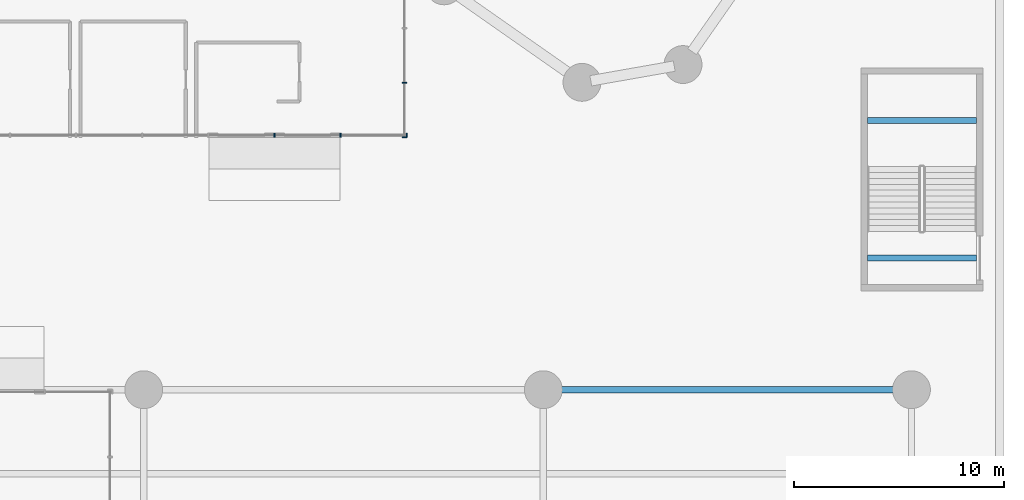
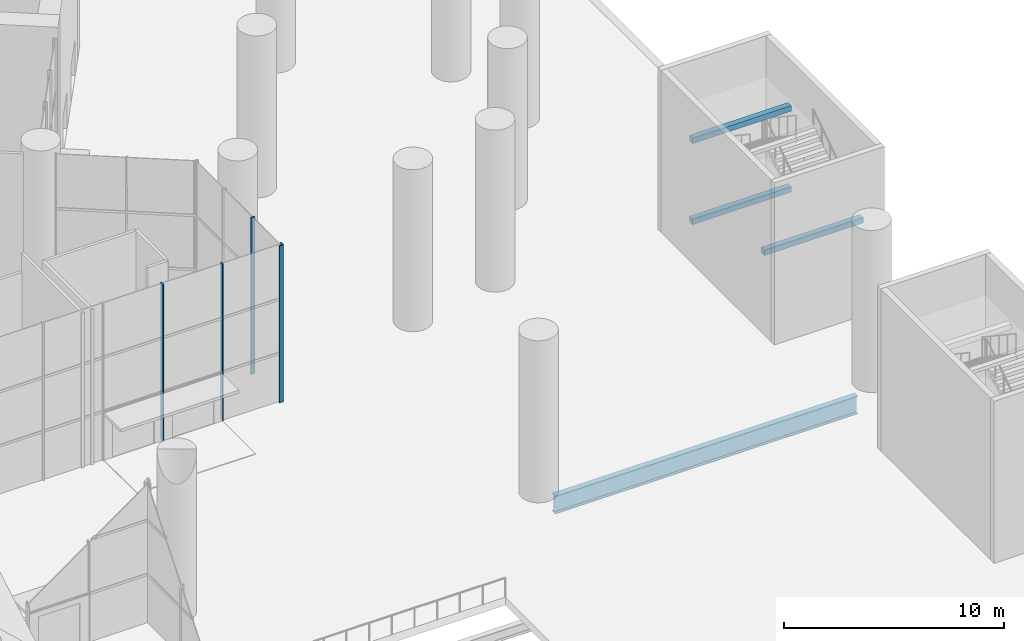
# One storey, part 9 of 37: 5 members, 4 beams, 2 elements without a shape of their own.
"""IFC4 building model written with IfcOpenShell, lengths in metres."""

from ifc_helpers import new_model, si_unit, direction, frame, origin, origin_2d, place, context, subcontext, project, spatial, rectangle, i_section, extrude, material, material_profile, profile_set, type_object, element, aggregate, save


model = new_model("IFC4")

# Units and contexts
model_context = context("Model", 3, precision=1e-05, world=origin(), true_north=direction((0.0, 1.0)))
body_context = subcontext(model_context, "Body", "Model", "MODEL_VIEW")
ifc_project = project(units=[si_unit("LENGTHUNIT", "METRE"), si_unit("AREAUNIT", "SQUARE_METRE"), si_unit("VOLUMEUNIT", "CUBIC_METRE"), si_unit("PLANEANGLEUNIT", "RADIAN"), si_unit("MASSUNIT", "GRAM", prefix="KILO")], contexts=[model_context])

# Site, building, storey
site_placement = place(None, origin())
site = spatial("IfcSite", under=ifc_project, at=site_placement, CompositionType="ELEMENT")
building_placement = place(site_placement, origin())
building = spatial("IfcBuilding", under=site, at=building_placement, Name="Tel Ilan Convention Tower", CompositionType="ELEMENT")
storey_placement = place(building_placement, origin())
storey = spatial("IfcBuildingStorey", under=building, at=storey_placement, Name="L00", CompositionType="ELEMENT", Elevation=0.0)

# Curtain wall, members
ifc_material_1 = material(Name="Aluminium, bronze anodised", Category="aluminium")
curtain_wall_type = type_object("IfcCurtainWallType", Name="CW6 LOBBY PAVILION CURTAIN WALL, CLEAR GLASS", PredefinedType="NOTDEFINED", material=ifc_material_1)
curtain_wall_1_placement = place(storey_placement, origin())
curtain_wall_1 = element("IfcCurtainWall", 1, at=curtain_wall_1_placement, inside=storey, type_object=curtain_wall_type, Name="Curtain wall CW6-03.04", PredefinedType="NOTDEFINED")
ifc_material_2 = material(Name="Aluminium, bronze anodised", Category="aluminium")
ifc_material_profile_1 = material_profile(ifc_material_2, rectangle(XDim=0.06005859375, YDim=0.199951171875, at=origin_2d()), Name="CW MULLION 60x200")
ifc_profile_set_1 = profile_set([ifc_material_profile_1], Name="Aluminium, bronze anodised")
member_type = type_object("IfcMemberType", Name="CW MULLION 60x200", PredefinedType="MULLION", material=ifc_profile_set_1)
member_1_placement = place(storey_placement, frame((21.89990234375, -33.407470703125, 0.0), z_axis=(0.0, 0.0, 1.0), x_axis=(0.0, -1.0, 0.0)))
member_1 = element("IfcMember", 2, at=member_1_placement, type_object=member_type, Name="Mullion", PredefinedType="MULLION", context=body_context, shape_type="SweptSolid", body=[
    extrude(rectangle(XDim=0.06005859375, YDim=0.199951171875, at=origin_2d()), origin(), (0.0, 0.0, 1.0), 8.719970703125),
])
member_2_placement = place(storey_placement, frame((21.89990234375, -36.0, 0.0), z_axis=(0.0, 0.0, 1.0), x_axis=(0.0, -1.0, 0.0)))
member_2 = element("IfcMember", 3, at=member_2_placement, type_object=member_type, Name="Mullion", PredefinedType="MULLION", context=body_context, shape_type="SweptSolid", body=[
    extrude(rectangle(XDim=0.06005859375, YDim=0.199951171875, at=origin_2d()), origin(), (0.0, 0.0, 1.0), 8.719970703125),
])
aggregate(curtain_wall_1, [member_1, member_2])

curtain_wall_2_placement = place(storey_placement, origin())
curtain_wall_2 = element("IfcCurtainWall", 4, at=curtain_wall_2_placement, inside=storey, type_object=curtain_wall_type, Name="Curtain wall CW6-03.05", PredefinedType="NOTDEFINED")
member_3_placement = place(storey_placement, frame((22.0, -35.89990234375, 0.0), z_axis=(0.0, 0.0, 1.0), x_axis=(-1.0, 0.0, 0.0)))
member_3 = element("IfcMember", 5, at=member_3_placement, type_object=member_type, Name="Mullion", PredefinedType="MULLION", context=body_context, shape_type="SweptSolid", body=[
    extrude(rectangle(XDim=0.06005859375, YDim=0.199951171875, at=origin_2d()), origin(), (0.0, 0.0, 1.0), 8.719970703125),
])
member_4_placement = place(storey_placement, frame((18.857177734375, -35.89990234375, 0.0), z_axis=(0.0, 0.0, 1.0), x_axis=(-1.0, 0.0, 0.0)))
member_4 = element("IfcMember", 6, at=member_4_placement, type_object=member_type, Name="Mullion", PredefinedType="MULLION", context=body_context, shape_type="SweptSolid", body=[
    extrude(rectangle(XDim=0.06005859375, YDim=0.199951171875, at=origin_2d()), origin(), (0.0, 0.0, 1.0), 8.719970703125),
])
member_5_placement = place(storey_placement, frame((15.71435546875, -35.89990234375, 0.0), z_axis=(0.0, 0.0, 1.0), x_axis=(-1.0, 0.0, 0.0)))
member_5 = element("IfcMember", 7, at=member_5_placement, type_object=member_type, Name="Mullion", PredefinedType="MULLION", context=body_context, shape_type="SweptSolid", body=[
    extrude(rectangle(XDim=0.06005859375, YDim=0.199951171875, at=origin_2d()), origin(), (0.0, 0.0, 1.0), 8.719970703125),
])
aggregate(curtain_wall_2, [member_3, member_4, member_5])

# Beams
ifc_material_3 = material(Name="Steel S355", Category="steel")
ifc_material_profile_2 = material_profile(ifc_material_3, i_section(OverallWidth=0.300048828125, OverallDepth=1.0, WebThickness=0.01904296875, FlangeThickness=0.035888671875, FilletRadius=0.030029296875, at=origin_2d()), Name="HEB 1000")
ifc_profile_set_2 = profile_set([ifc_material_profile_2], Name="Steel S355")
beam_type_1 = type_object("IfcBeamType", Name="Girder HEB 1000 Steel S355", PredefinedType="BEAM", material=ifc_profile_set_2)
beam_placement = place(storey_placement, frame((29.300048828125, -48.0, -0.949951171875), z_axis=(1.0, 0.0, 0.0), x_axis=(0.0, 1.0, 0.0)))
element("IfcBeam", 8, at=beam_placement, inside=storey, type_object=beam_type_1, Name="L00 beam GX35-6", PredefinedType="BEAM", context=body_context, shape_type="SweptSolid", body=[
    extrude(i_section(OverallWidth=0.300048828125, OverallDepth=1.0, WebThickness=0.01904296875, FlangeThickness=0.035888671875, FilletRadius=0.030029296875, at=origin_2d()), origin(), (0.0, 0.0, 1.0), 15.89990234375),
])
ifc_material_4 = material(Name="Concrete C40/50", Category="concrete")
ifc_material_profile_3 = material_profile(ifc_material_4, rectangle(XDim=0.300048828125, YDim=0.300048828125, at=origin_2d()), Name="RC 300x300")
ifc_profile_set_3 = profile_set([ifc_material_profile_3], Name="Concrete C40/50")
beam_type_2 = type_object("IfcBeamType", Name="Landing Beam RC 300x300 Concrete C40/50", PredefinedType="BEAM", material=ifc_profile_set_3)
for number, where, z_axis, x_axis, name in (
    (9, (49.10009765625, -35.197998046875, 1.89990234375), (-1.0, 0.0, 0.0), (0.0, -1.0, 0.0), "P8 landing beam L00.1"),
    (10, (49.10009765625, -41.737060546875, 4.14990234375), (-1.0, 0.0, 0.0), (0.0, -1.0, 0.0), "P8 landing beam L00.2"),
    (11, (49.10009765625, -35.197998046875, 6.39990234375), (-1.0, 0.0, 0.0), (0.0, -1.0, 0.0), "P8 landing beam L00.3"),
):
    element("IfcBeam", number, at=place(storey_placement, frame(where, z_axis=z_axis, x_axis=x_axis)), inside=storey, type_object=beam_type_2, Name=name, PredefinedType="BEAM", context=body_context, shape_type="SweptSolid", body=[
        extrude(rectangle(XDim=0.300048828125, YDim=0.300048828125, at=origin_2d()), origin(), (0.0, 0.0, 1.0), 5.2001953125),
    ])

save(model, "model.ifc")
